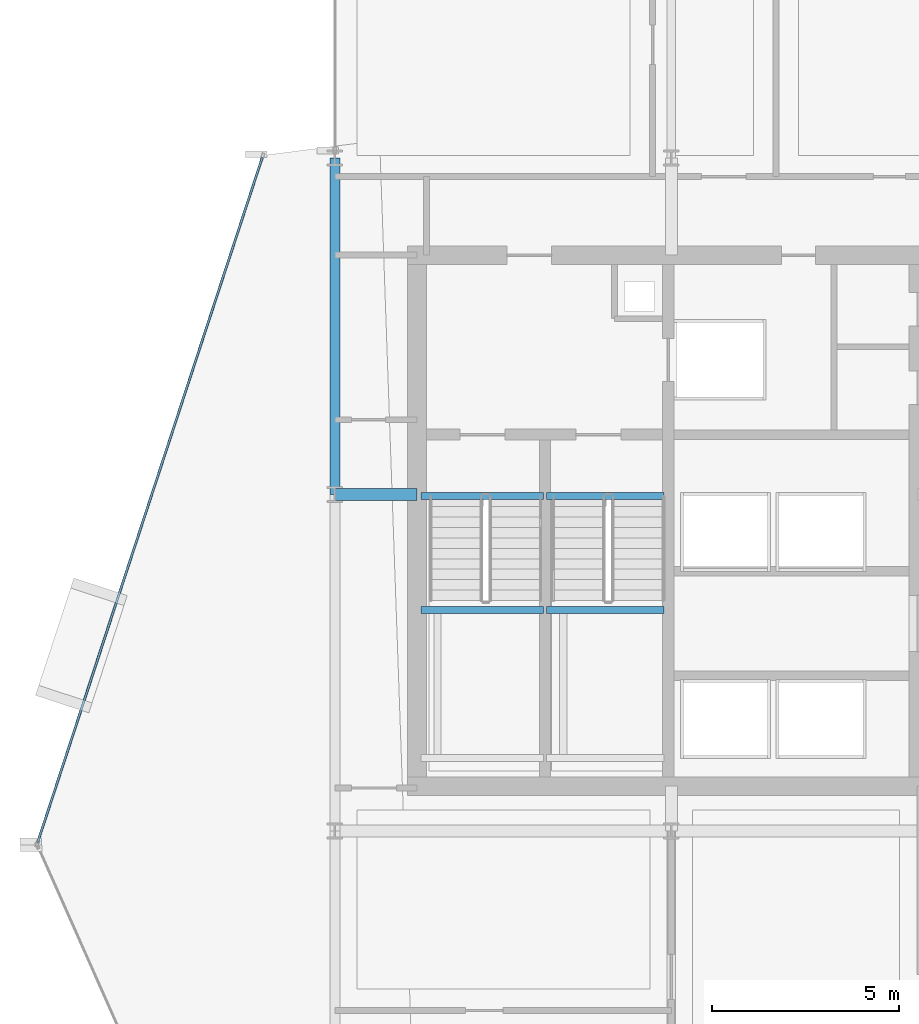
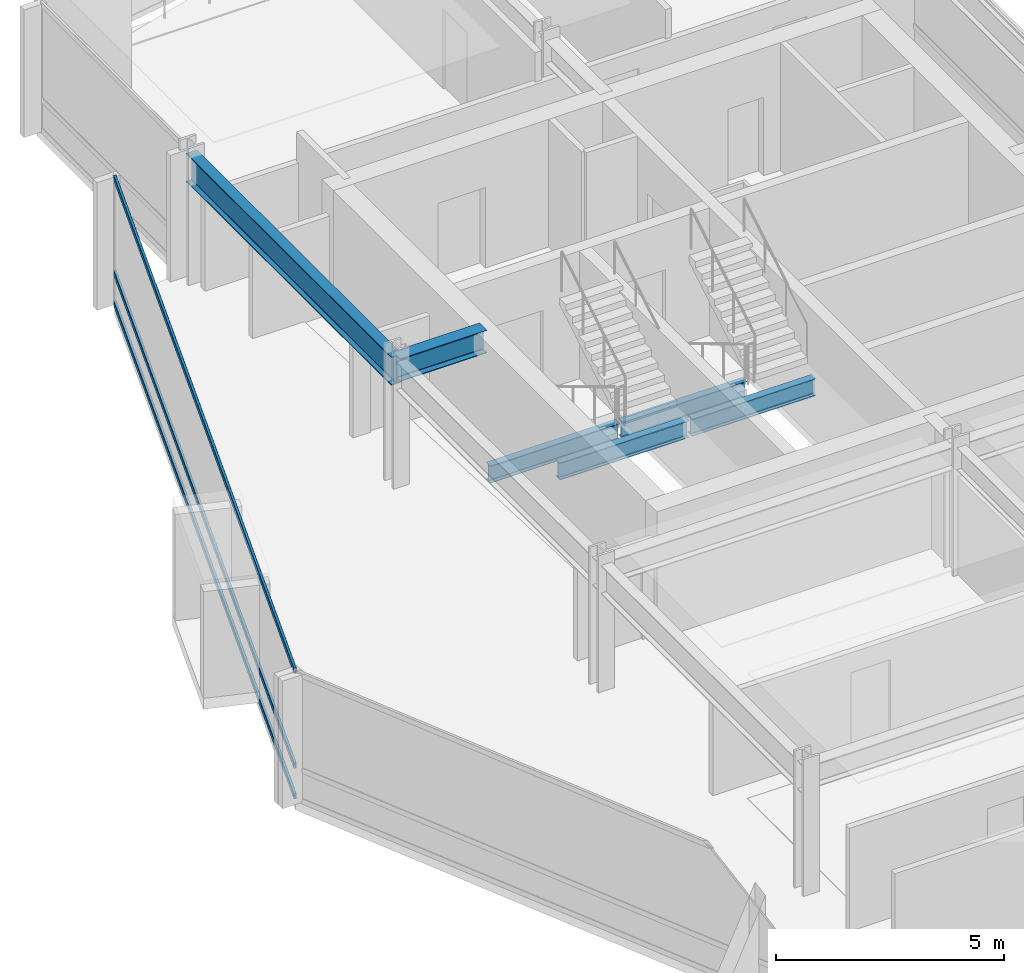
# One storey, part 15 of 29: 6 beams, 3 members, 1 element without a shape of its own.
"""IFC4 building model written with IfcOpenShell, lengths in metres."""

from ifc_helpers import new_model, si_unit, direction, frame, origin, origin_2d, place, context, subcontext, project, spatial, hollow_rectangle, i_section, extrude, material, layer, layer_set, material_profile, profile_set, type_object, element, aggregate, save


model = new_model("IFC4")

# Units and contexts
model_context = context("Model", 3, precision=1e-05, world=origin(), true_north=direction((0.0, 1.0)))
body_context = subcontext(model_context, "Body", "Model", "MODEL_VIEW")
ifc_project = project(units=[si_unit("LENGTHUNIT", "METRE"), si_unit("AREAUNIT", "SQUARE_METRE"), si_unit("VOLUMEUNIT", "CUBIC_METRE"), si_unit("PLANEANGLEUNIT", "RADIAN"), si_unit("MASSUNIT", "GRAM", prefix="KILO")], contexts=[model_context])

# Site, building, storey
site_placement = place(None, origin())
site = spatial("IfcSite", under=ifc_project, at=site_placement, CompositionType="ELEMENT")
building_placement = place(site_placement, origin())
building = spatial("IfcBuilding", under=site, at=building_placement, Name="Solvaryn Broadcast Tower", CompositionType="ELEMENT")
storey_placement = place(building_placement, frame((0.0, 0.0, 139.60009765625)))
storey = spatial("IfcBuildingStorey", under=building, at=storey_placement, Name="L34", CompositionType="ELEMENT", Elevation=139.60009765625)

# Beams
ifc_material_1 = material(Name="Steel ASTM A992 Grade 50", Category="steel")
ifc_material_profile_1 = material_profile(ifc_material_1, i_section(OverallWidth=0.323974609375, OverallDepth=0.611083984375, WebThickness=0.0126953125, FlangeThickness=0.01904296875, FilletRadius=0.014892578125, at=origin_2d()))
ifc_profile_set_1 = profile_set([ifc_material_profile_1], Name="Steel ASTM A992 Grade 50")
beam_type_1 = type_object("IfcBeamType", Name="BM-B1-W24X104", PredefinedType="BEAM", material=ifc_profile_set_1)
beam_1_placement = place(storey_placement, frame((9.0, 36.0, 3.114501953125), z_axis=(1.0, 0.0, 0.0), x_axis=(0.0, 1.0, 0.0)))
element("IfcBeam", 1, at=beam_1_placement, inside=storey, type_object=beam_type_1, Name="L34 Core Tie Beam CTW1", PredefinedType="BEAM", context=body_context, shape_type="SweptSolid", body=[
    extrude(i_section(OverallWidth=0.323974609375, OverallDepth=0.611083984375, WebThickness=0.0126953125, FlangeThickness=0.01904296875, FilletRadius=0.014892578125, at=origin_2d()), origin(), (0.0, 0.0, 1.0), 2.199951171875),
])
ifc_material_2 = material(Name="Steel ASTM A992 Grade 50", Category="steel")
ifc_material_profile_2 = material_profile(ifc_material_2, i_section(OverallWidth=0.18994140625, OverallDepth=0.45703125, WebThickness=0.009033203125, FlangeThickness=0.014404296875, FilletRadius=0.011962890625, at=origin_2d()))
ifc_profile_set_2 = profile_set([ifc_material_profile_2], Name="Steel ASTM A992 Grade 50")
beam_type_2 = type_object("IfcBeamType", Name="BM-B4-W18X50", PredefinedType="BEAM", material=ifc_profile_set_2)
for number, where, z_axis, x_axis, name in (
    (2, (11.300048828125, 35.9599609375, -0.508544921875), (1.0, 0.0, 0.0), (0.0, 1.0, 0.0), "L34 ST1 Stair Well Trimmer Beam"),
    (3, (11.300048828125, 32.909912109375, 1.42138671875), (1.0, 0.0, 0.0), (0.0, 1.0, 0.0), "L34 ST1 Landing Support Beam 1B"),
):
    element("IfcBeam", number, at=place(storey_placement, frame(where, z_axis=z_axis, x_axis=x_axis)), inside=storey, type_object=beam_type_2, Name=name, PredefinedType="BEAM", context=body_context, shape_type="SweptSolid", body=[
        extrude(i_section(OverallWidth=0.18994140625, OverallDepth=0.45703125, WebThickness=0.009033203125, FlangeThickness=0.014404296875, FilletRadius=0.011962890625, at=origin_2d()), origin(), (0.0, 0.0, 1.0), 3.280029296875),
    ])
for number, where, z_axis, x_axis, name in (
    (4, (14.659912109375, 35.9599609375, -0.508544921875), (1.0, 0.0, 0.0), (0.0, 1.0, 0.0), "L34 ST2 Stair Well Trimmer Beam"),
    (5, (14.659912109375, 32.909912109375, 1.42138671875), (1.0, 0.0, 0.0), (0.0, 1.0, 0.0), "L34 ST2 Landing Support Beam 1B"),
):
    element("IfcBeam", number, at=place(storey_placement, frame(where, z_axis=z_axis, x_axis=x_axis)), inside=storey, type_object=beam_type_2, Name=name, PredefinedType="BEAM", context=body_context, shape_type="SweptSolid", body=[
        extrude(i_section(OverallWidth=0.18994140625, OverallDepth=0.45703125, WebThickness=0.009033203125, FlangeThickness=0.014404296875, FilletRadius=0.011962890625, at=origin_2d()), origin(), (0.0, 0.0, 1.0), 3.14013671875),
    ])
ifc_material_3 = material(Name="Steel ASTM A992 Grade 50", Category="steel")
ifc_material_profile_3 = material_profile(ifc_material_3, i_section(OverallWidth=0.26708984375, OverallDepth=0.76611328125, WebThickness=0.014892578125, FlangeThickness=0.023681640625, FilletRadius=0.01806640625, at=origin_2d()))
ifc_profile_set_3 = profile_set([ifc_material_profile_3], Name="Steel ASTM A992 Grade 50")
beam_type_3 = type_object("IfcBeamType", Name="BM-SP2-W30X124", PredefinedType="USERDEFINED", material=ifc_profile_set_3)
beam_2_placement = place(storey_placement, frame((9.0, 36.0, 3.036865234375), z_axis=(0.0, 1.0, 0.0), x_axis=(-1.0, 0.0, 0.0)))
element("IfcBeam", 6, at=beam_2_placement, inside=storey, type_object=beam_type_3, Name="L34 Spandrel Beam Y (36-45 @ X=9)", ObjectType="SPANDREL", PredefinedType="USERDEFINED", context=body_context, shape_type="SweptSolid", body=[
    extrude(i_section(OverallWidth=0.26708984375, OverallDepth=0.76611328125, WebThickness=0.014892578125, FlangeThickness=0.023681640625, FilletRadius=0.01806640625, at=origin_2d()), origin(), (0.0, 0.0, 1.0), 9.0),
])

# Curtain wall, members
ifc_material_4 = material(Name="Aluminium and Terracotta Unitised Curtain Wall", Category="masonry")
ifc_layer = layer(ifc_material_4, 0.199951171875)
ifc_layer_set = layer_set([ifc_layer], Name="CW-SYS2-LOWMID")
curtain_wall_type = type_object("IfcCurtainWallType", Name="CW-SYS2-LOWMID", PredefinedType="NOTDEFINED", material=ifc_layer_set)
curtain_wall_placement = place(storey_placement, origin())
curtain_wall = element("IfcCurtainWall", 7, at=curtain_wall_placement, inside=storey, type_object=curtain_wall_type, Name="L34 Curtain Wall DR1", PredefinedType="NOTDEFINED")
ifc_material_5 = material(Name="Anodised Aluminium 6063-T6", Category="aluminium")
ifc_material_profile_4 = material_profile(ifc_material_5, hollow_rectangle(XDim=0.06494140625, YDim=0.14990234375, WallThickness=0.00390625, InnerFilletRadius=0.00390625, OuterFilletRadius=0.008056640625, at=origin_2d()))
ifc_profile_set_4 = profile_set([ifc_material_profile_4], Name="Anodised Aluminium 6063-T6")
member_type = type_object("IfcMemberType", Name="CW-TRN-150", PredefinedType="USERDEFINED", material=ifc_profile_set_4)
member_1_placement = place(storey_placement, frame((7.060302734375, 45.010009765625, 0.02978515625), z_axis=(-0.31164571445, -0.950198373323, 0.0), x_axis=(0.950198373323, -0.31164571445, 0.0)))
member_1 = element("IfcMember", 8, at=member_1_placement, type_object=member_type, Name="CWS2 transom 1.1", ObjectType="TRANSOM", PredefinedType="USERDEFINED", context=body_context, shape_type="SweptSolid", body=[
    extrude(hollow_rectangle(XDim=0.06494140625, YDim=0.14990234375, WallThickness=0.00390625, InnerFilletRadius=0.00390625, OuterFilletRadius=0.008056640625, at=origin_2d()), origin(), (0.0, 0.0, 1.0), 19.27685546875),
])
member_2_placement = place(storey_placement, frame((7.060302734375, 45.010009765625, 0.849853515625), z_axis=(-0.31164571445, -0.950198373323, 0.0), x_axis=(0.950198373323, -0.31164571445, 0.0)))
member_2 = element("IfcMember", 9, at=member_2_placement, type_object=member_type, Name="CWS2 transom 1.2", ObjectType="TRANSOM", PredefinedType="USERDEFINED", context=body_context, shape_type="SweptSolid", body=[
    extrude(hollow_rectangle(XDim=0.06494140625, YDim=0.14990234375, WallThickness=0.00390625, InnerFilletRadius=0.00390625, OuterFilletRadius=0.008056640625, at=origin_2d()), origin(), (0.0, 0.0, 1.0), 19.27685546875),
])
member_3_placement = place(storey_placement, frame((7.060302734375, 45.010009765625, 3.389892578125), z_axis=(-0.31164571445, -0.950198373323, 0.0), x_axis=(0.950198373323, -0.31164571445, 0.0)))
member_3 = element("IfcMember", 10, at=member_3_placement, type_object=member_type, Name="CWS2 transom 1.3", ObjectType="TRANSOM", PredefinedType="USERDEFINED", context=body_context, shape_type="SweptSolid", body=[
    extrude(hollow_rectangle(XDim=0.06494140625, YDim=0.14990234375, WallThickness=0.00390625, InnerFilletRadius=0.00390625, OuterFilletRadius=0.008056640625, at=origin_2d()), origin(), (0.0, 0.0, 1.0), 19.27685546875),
])
aggregate(curtain_wall, [member_1, member_2, member_3])

save(model, "model.ifc")
